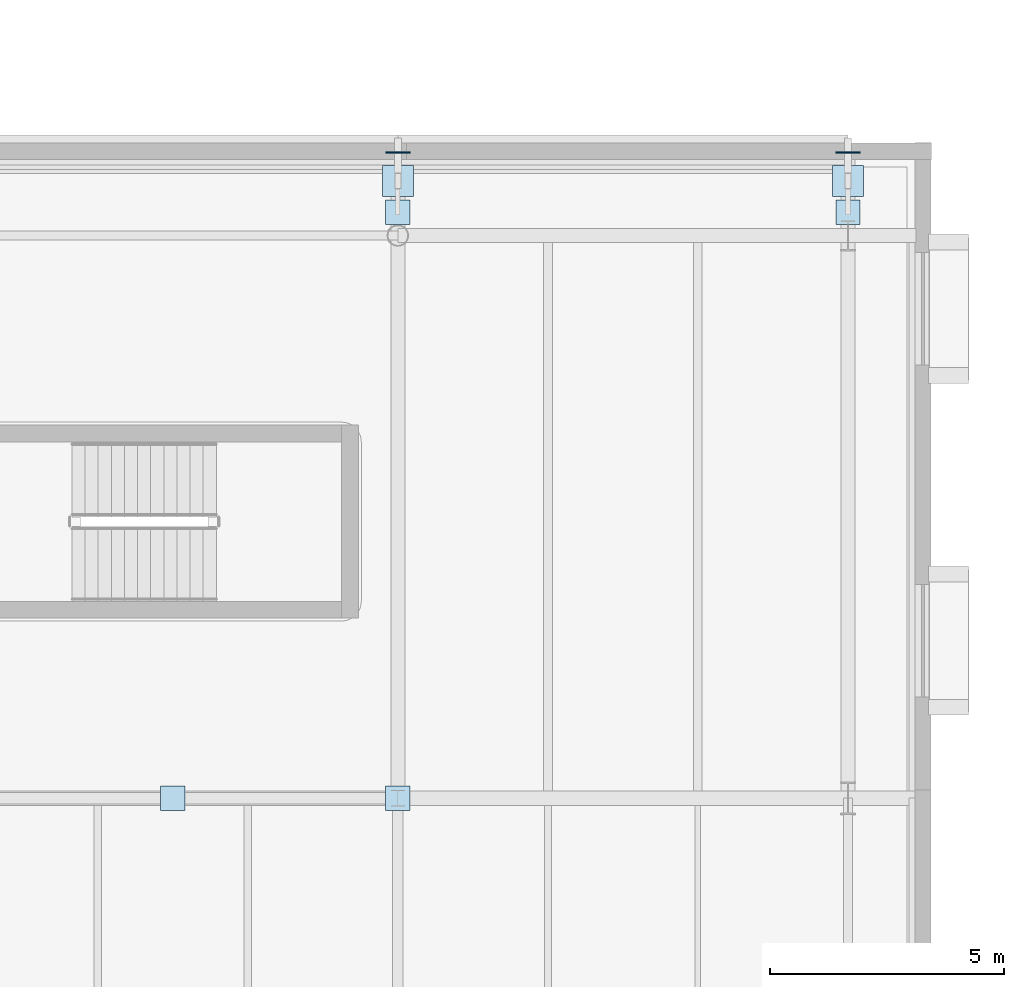
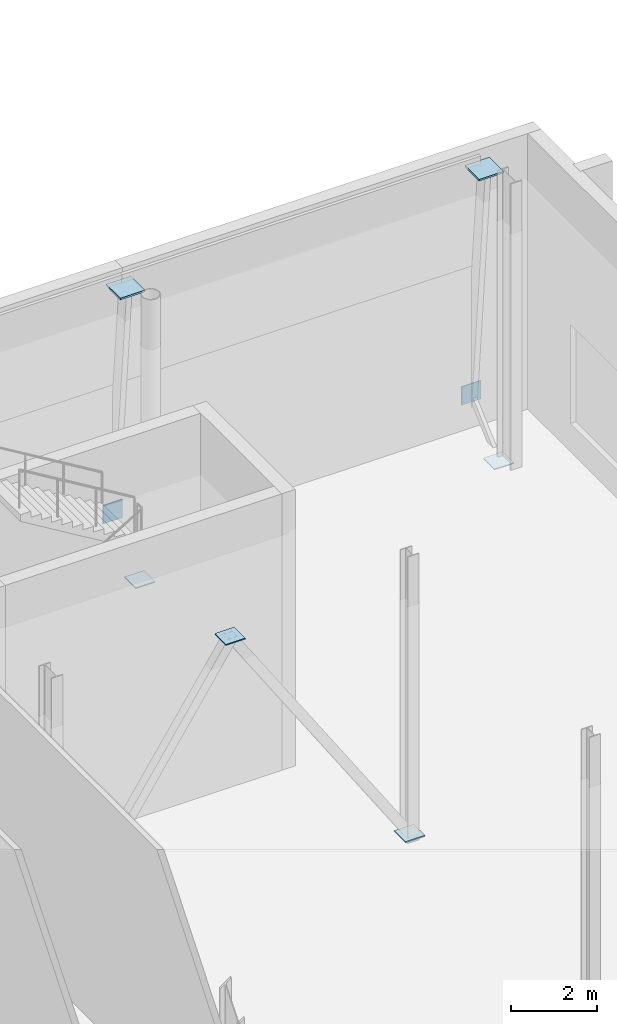
# One storey, part 51 of 79: 8 plates.
"""IFC4 building model written with IfcOpenShell, lengths in metres."""

from ifc_helpers import new_model, si_unit, direction, frame, origin, origin_2d, place, context, subcontext, project, spatial, rectangle, extrude, material, layer, layer_set, type_object, element, save


model = new_model("IFC4")

# Units and contexts
model_context = context("Model", 3, precision=1e-05, world=origin(), true_north=direction((0.0, 1.0)))
body_context = subcontext(model_context, "Body", "Model", "MODEL_VIEW")
ifc_project = project(units=[si_unit("LENGTHUNIT", "METRE"), si_unit("AREAUNIT", "SQUARE_METRE"), si_unit("VOLUMEUNIT", "CUBIC_METRE"), si_unit("PLANEANGLEUNIT", "RADIAN"), si_unit("MASSUNIT", "GRAM", prefix="KILO")], contexts=[model_context])

# Site, building, storey
site_placement = place(None, origin())
site = spatial("IfcSite", under=ifc_project, at=site_placement, CompositionType="ELEMENT")
building_placement = place(site_placement, origin())
building = spatial("IfcBuilding", under=site, at=building_placement, Name="Zereglee Splitstone Museum", CompositionType="ELEMENT")
storey_placement = place(building_placement, frame((0.0, 0.0, 9.0)))
storey = spatial("IfcBuildingStorey", under=building, at=storey_placement, Name="L02", CompositionType="ELEMENT", Elevation=9.0)

# Plates
ifc_material = material(Name="Steel S355J2", Category="steel")
ifc_layer_1 = layer(ifc_material, 0.030029296875)
ifc_layer_set_1 = layer_set([ifc_layer_1], Name="Steel S355J2")
plate_type_1 = type_object("IfcPlateType", Name="NP-04", PredefinedType="SHEET", material=ifc_layer_set_1)
for number, where, z_axis, x_axis, name in (
    (1, (135.60009765625, 38.39990234375, 0.10498046875), (0.0, 0.0, 1.0), (1.0, 0.0, 0.0), "CBF Brace Gusset Cap L02-012"),
    (2, (130.800048828125, 38.39990234375, 7.36474609375), (0.0, 0.0, 1.0), (1.0, 0.0, 0.0), "CBF Brace Gusset Cap L02-012"),
    (3, (135.60009765625, 50.89990234375, -0.294921875), (0.0, 0.0, 1.0), (1.0, 0.0, 0.0), "Facet Tie Seal Plate FH-V2NE"),
):
    element("IfcPlate", number, at=place(storey_placement, frame(where, z_axis=z_axis, x_axis=x_axis)), inside=storey, type_object=plate_type_1, Name=name, PredefinedType="SHEET", context=body_context, shape_type="SweptSolid", body=[
        extrude(rectangle(XDim=0.52001953125, YDim=0.52001953125, at=origin_2d()), origin(), (0.0, 0.0, 1.0), 0.030029296875),
    ])
plate_1_placement = place(storey_placement, frame((135.60009765625, 52.172607421875, 0.619873046875), z_axis=(0.0, 0.0, 1.0), x_axis=(1.0, 0.0, 0.0)))
element("IfcPlate", 4, at=plate_1_placement, inside=storey, type_object=plate_type_1, Name="Facet Tie Seal Plate FH-V2NE", PredefinedType="SHEET", context=body_context, shape_type="SweptSolid", body=[
    extrude(rectangle(XDim=0.52001953125, YDim=0.030029296875, at=origin_2d()), origin(), (0.0, 0.0, 1.0), 0.52001953125),
])
plate_2_placement = place(storey_placement, frame((145.199951171875, 50.89990234375, -0.294921875), z_axis=(0.0, 0.0, 1.0), x_axis=(1.0, 0.0, 0.0)))
element("IfcPlate", 5, at=plate_2_placement, inside=storey, type_object=plate_type_1, Name="Facet Tie Seal Plate FH-V2NE", PredefinedType="SHEET", context=body_context, shape_type="SweptSolid", body=[
    extrude(rectangle(XDim=0.52001953125, YDim=0.52001953125, at=origin_2d()), origin(), (0.0, 0.0, 1.0), 0.030029296875),
])
plate_3_placement = place(storey_placement, frame((145.199951171875, 52.172607421875, 0.619873046875), z_axis=(0.0, 0.0, 1.0), x_axis=(1.0, 0.0, 0.0)))
element("IfcPlate", 6, at=plate_3_placement, inside=storey, type_object=plate_type_1, Name="Facet Tie Seal Plate FH-V2NE", PredefinedType="SHEET", context=body_context, shape_type="SweptSolid", body=[
    extrude(rectangle(XDim=0.52001953125, YDim=0.030029296875, at=origin_2d()), origin(), (0.0, 0.0, 1.0), 0.52001953125),
])
ifc_layer_2 = layer(ifc_material, 0.050048828125)
ifc_layer_set_2 = layer_set([ifc_layer_2], Name="Steel S355J2")
plate_type_2 = type_object("IfcPlateType", Name="NP-02", PredefinedType="SHEET", material=ifc_layer_set_2)
for number, where, z_axis, x_axis, name in (
    (7, (135.60009765625, 51.56201171875, 7.544921875), (0.0, 0.0, 1.0), (1.0, 0.0, 0.0), "Facet Strut Seal Plate FH-V2NE"),
    (8, (145.199951171875, 51.56201171875, 7.544921875), (0.0, 0.0, 1.0), (1.0, 0.0, 0.0), "Facet Strut Seal Plate FH-V2NE"),
):
    element("IfcPlate", number, at=place(storey_placement, frame(where, z_axis=z_axis, x_axis=x_axis)), inside=storey, type_object=plate_type_2, Name=name, PredefinedType="SHEET", context=body_context, shape_type="SweptSolid", body=[
        extrude(rectangle(XDim=0.659912109375, YDim=0.659912109375, at=origin_2d()), origin(), (0.0, 0.0, 1.0), 0.050048828125),
    ])

save(model, "model.ifc")
